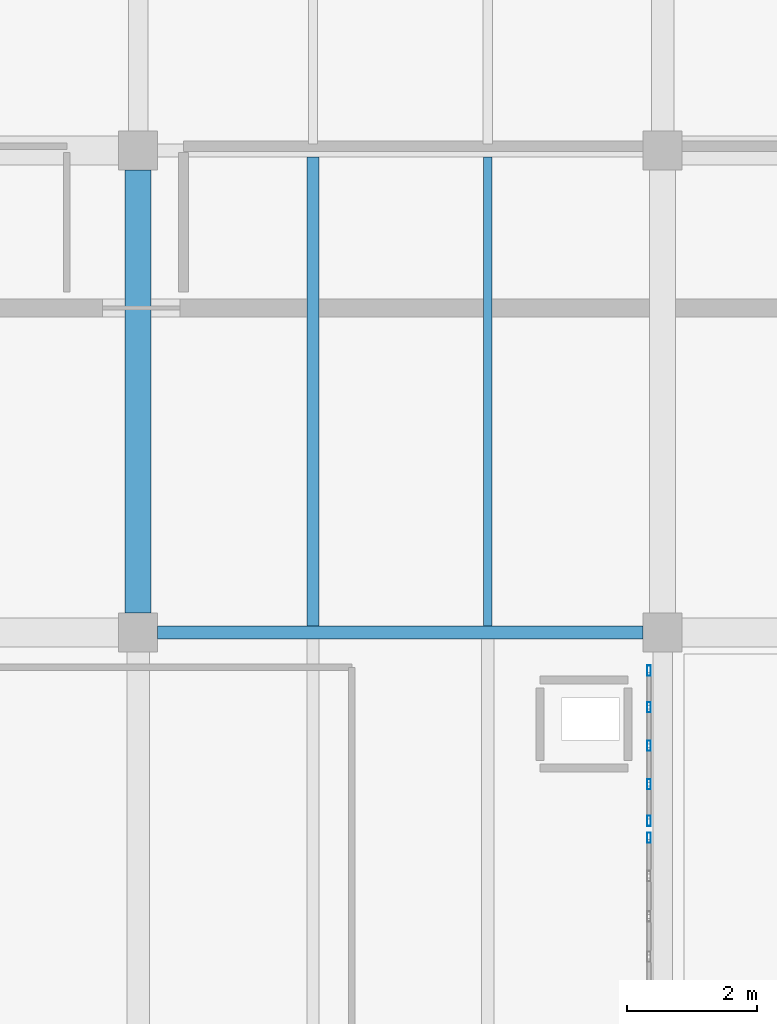
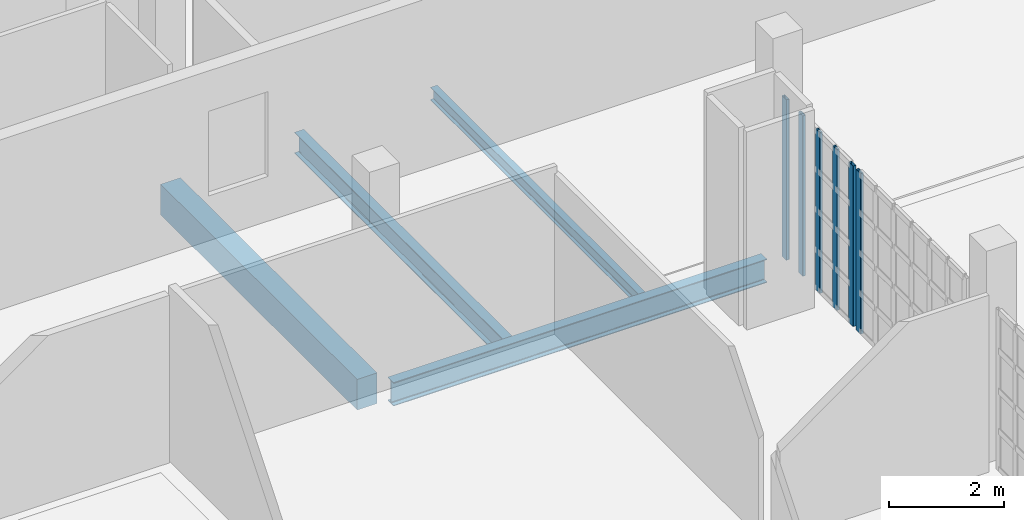
# One storey, part 30 of 73: 6 members, 4 beams, 2 elements without a shape of their own.
"""IFC4 building model written with IfcOpenShell, lengths in metres."""

from ifc_helpers import new_model, si_unit, direction, frame, origin, origin_2d, place, context, subcontext, project, spatial, rectangle, hollow_rectangle, i_section, extrude, material, material_profile, profile_set, type_object, element, aggregate, save


model = new_model("IFC4")

# Units and contexts
model_context = context("Model", 3, precision=1e-05, world=origin(), true_north=direction((0.0, 1.0)))
body_context = subcontext(model_context, "Body", "Model", "MODEL_VIEW")
ifc_project = project(units=[si_unit("LENGTHUNIT", "METRE"), si_unit("AREAUNIT", "SQUARE_METRE"), si_unit("VOLUMEUNIT", "CUBIC_METRE"), si_unit("PLANEANGLEUNIT", "RADIAN"), si_unit("MASSUNIT", "GRAM", prefix="KILO")], contexts=[model_context])

# Site, building, storey
site_placement = place(None, origin())
site = spatial("IfcSite", under=ifc_project, at=site_placement, CompositionType="ELEMENT")
building_placement = place(site_placement, origin())
building = spatial("IfcBuilding", under=site, at=building_placement, Name="Kaelora Sail Theatre", CompositionType="ELEMENT")
storey_placement = place(building_placement, frame((0.0, 0.0, 10.199951171875)))
storey = spatial("IfcBuildingStorey", under=building, at=storey_placement, Name="L02", CompositionType="ELEMENT", Elevation=10.199951171875)

# Curtain wall, member
ifc_material_1 = material(Name="Anodised aluminium and solar-control low-E IGU", Category="aluminium")
curtain_wall_type = type_object("IfcCurtainWallType", Name="ARC-CW-CW-BRG", PredefinedType="NOTDEFINED", material=ifc_material_1)
curtain_wall_1_placement = place(storey_placement, origin())
curtain_wall_1 = element("IfcCurtainWall", 1, at=curtain_wall_1_placement, inside=storey, type_object=curtain_wall_type, Name="Glazed Colonnade/Courtyard Curtain Wall FC2-STEP-E-L02-03", PredefinedType="NOTDEFINED")
ifc_material_2 = material(Name="Anodised aluminium 6063-T6", Category="aluminium")
ifc_material_profile_1 = material_profile(ifc_material_2, hollow_rectangle(XDim=0.06005859375, YDim=0.159912109375, WallThickness=0.00390625, InnerFilletRadius=0.00390625, OuterFilletRadius=0.008056640625, at=origin_2d()), Name="ALU-MULL 60x160x4")
ifc_profile_set_1 = profile_set([ifc_material_profile_1], Name="Anodised aluminium 6063-T6")
member_type = type_object("IfcMemberType", Name="ARC-MEM-ML-160", PredefinedType="MULLION", material=ifc_profile_set_1)
member_1_placement = place(storey_placement, frame((122.7900390625, 80.169921875, 0.0), z_axis=(0.0, 0.0, 1.0), x_axis=(-1.0, 0.0, 0.0)))
member_1 = element("IfcMember", 2, at=member_1_placement, type_object=member_type, Name="CW-BRG mullion 7", PredefinedType="MULLION", context=body_context, shape_type="SweptSolid", body=[
    extrude(hollow_rectangle(XDim=0.06005859375, YDim=0.159912109375, WallThickness=0.00390625, InnerFilletRadius=0.00390625, OuterFilletRadius=0.008056640625, at=origin_2d()), origin(), (0.0, 0.0, 1.0), 3.406982421875),
])
aggregate(curtain_wall_1, [member_1])

# Curtain wall, members
curtain_wall_2_placement = place(storey_placement, origin())
curtain_wall_2 = element("IfcCurtainWall", 3, at=curtain_wall_2_placement, inside=storey, type_object=curtain_wall_type, Name="Glazed Colonnade/Courtyard Curtain Wall FC2-STEP-E-L02-04", PredefinedType="NOTDEFINED")
member_2_placement = place(storey_placement, frame((122.7900390625, 80.429931640625, 0.0), z_axis=(0.0, 0.0, 1.0), x_axis=(-1.0, 0.0, 0.0)))
member_2 = element("IfcMember", 4, at=member_2_placement, type_object=member_type, Name="CW-BRG mullion 1", PredefinedType="MULLION", context=body_context, shape_type="SweptSolid", body=[
    extrude(hollow_rectangle(XDim=0.06005859375, YDim=0.159912109375, WallThickness=0.00390625, InnerFilletRadius=0.00390625, OuterFilletRadius=0.008056640625, at=origin_2d()), origin(), (0.0, 0.0, 1.0), 3.406982421875),
])
member_3_placement = place(storey_placement, frame((122.7900390625, 80.9951171875, 0.0), z_axis=(0.0, 0.0, 1.0), x_axis=(-1.0, 0.0, 0.0)))
member_3 = element("IfcMember", 5, at=member_3_placement, type_object=member_type, Name="CW-BRG mullion 2", PredefinedType="MULLION", context=body_context, shape_type="SweptSolid", body=[
    extrude(hollow_rectangle(XDim=0.06005859375, YDim=0.159912109375, WallThickness=0.00390625, InnerFilletRadius=0.00390625, OuterFilletRadius=0.008056640625, at=origin_2d()), origin(), (0.0, 0.0, 1.0), 3.406982421875),
])
member_4_placement = place(storey_placement, frame((122.7900390625, 81.590087890625, 0.0), z_axis=(0.0, 0.0, 1.0), x_axis=(-1.0, 0.0, 0.0)))
member_4 = element("IfcMember", 6, at=member_4_placement, type_object=member_type, Name="CW-BRG mullion 3", PredefinedType="MULLION", context=body_context, shape_type="SweptSolid", body=[
    extrude(hollow_rectangle(XDim=0.06005859375, YDim=0.159912109375, WallThickness=0.00390625, InnerFilletRadius=0.00390625, OuterFilletRadius=0.008056640625, at=origin_2d()), origin(), (0.0, 0.0, 1.0), 3.406982421875),
])
member_5_placement = place(storey_placement, frame((122.7900390625, 82.18505859375, 0.0), z_axis=(0.0, 0.0, 1.0), x_axis=(-1.0, 0.0, 0.0)))
member_5 = element("IfcMember", 7, at=member_5_placement, type_object=member_type, Name="CW-BRG mullion 4", PredefinedType="MULLION", context=body_context, shape_type="SweptSolid", body=[
    extrude(hollow_rectangle(XDim=0.06005859375, YDim=0.159912109375, WallThickness=0.00390625, InnerFilletRadius=0.00390625, OuterFilletRadius=0.008056640625, at=origin_2d()), origin(), (0.0, 0.0, 1.0), 3.406982421875),
])
member_6_placement = place(storey_placement, frame((122.7900390625, 82.75, 0.0), z_axis=(0.0, 0.0, 1.0), x_axis=(-1.0, 0.0, 0.0)))
member_6 = element("IfcMember", 8, at=member_6_placement, type_object=member_type, Name="CW-BRG mullion 5", PredefinedType="MULLION", context=body_context, shape_type="SweptSolid", body=[
    extrude(hollow_rectangle(XDim=0.06005859375, YDim=0.159912109375, WallThickness=0.00390625, InnerFilletRadius=0.00390625, OuterFilletRadius=0.008056640625, at=origin_2d()), origin(), (0.0, 0.0, 1.0), 3.406982421875),
])
aggregate(curtain_wall_2, [member_2, member_3, member_4, member_5, member_6])

# Beams
ifc_material_3 = material(Name="Steel S355", Category="steel")
ifc_material_profile_2 = material_profile(ifc_material_3, i_section(OverallWidth=0.18994140625, OverallDepth=0.449951171875, WebThickness=0.009521484375, FlangeThickness=0.0146484375, FilletRadius=0.02099609375, at=origin_2d()), Name="IPE 450")
ifc_profile_set_2 = profile_set([ifc_material_profile_2], Name="Steel S355")
beam_type_1 = type_object("IfcBeamType", Name="STR-BM-BM-IPE450", PredefinedType="BEAM", material=ifc_profile_set_2)
beam_1_placement = place(storey_placement, frame((117.60009765625, 83.43994140625, -0.52001953125), z_axis=(0.0, 1.0, 0.0), x_axis=(-1.0, 0.0, 0.0)))
element("IfcBeam", 9, at=beam_1_placement, inside=storey, type_object=beam_type_1, Name="Secondary floor joist 15/L-1 (L02)", PredefinedType="BEAM", context=body_context, shape_type="SweptSolid", body=[
    extrude(i_section(OverallWidth=0.18994140625, OverallDepth=0.449951171875, WebThickness=0.009521484375, FlangeThickness=0.0146484375, FilletRadius=0.02099609375, at=origin_2d()), origin(), (0.0, 0.0, 1.0), 7.239990234375),
])
ifc_material_4 = material(Name="Steel S355", Category="steel")
ifc_material_profile_3 = material_profile(ifc_material_4, i_section(OverallWidth=0.199951171875, OverallDepth=0.5, WebThickness=0.01025390625, FlangeThickness=0.01611328125, FilletRadius=0.02099609375, at=origin_2d()), Name="IPE 500")
ifc_profile_set_3 = profile_set([ifc_material_profile_3], Name="Steel S355")
beam_type_2 = type_object("IfcBeamType", Name="STR-BM-BM-IPE500", PredefinedType="BEAM", material=ifc_profile_set_3)
beam_2_placement = place(storey_placement, frame((115.199951171875, 83.340087890625, -0.544921875), z_axis=(1.0, 0.0, 0.0), x_axis=(0.0, 1.0, 0.0)))
element("IfcBeam", 10, at=beam_2_placement, inside=storey, type_object=beam_type_2, Name="Primary beam L 15-16 (L02)", PredefinedType="BEAM", context=body_context, shape_type="SweptSolid", body=[
    extrude(i_section(OverallWidth=0.199951171875, OverallDepth=0.5, WebThickness=0.01025390625, FlangeThickness=0.01611328125, FilletRadius=0.02099609375, at=origin_2d()), origin(), (0.0, 0.0, 1.0), 7.5),
])
ifc_material_5 = material(Name="Concrete C40/50", Category="concrete")
ifc_material_profile_4 = material_profile(ifc_material_5, rectangle(XDim=0.39990234375, YDim=0.64990234375, at=origin_2d()), Name="RC-BM 400x650")
ifc_profile_set_4 = profile_set([ifc_material_profile_4], Name="Concrete C40/50")
beam_type_3 = type_object("IfcBeamType", Name="STR-BM-BM-RC4065", PredefinedType="BEAM", material=ifc_profile_set_4)
beam_3_placement = place(storey_placement, frame((114.89990234375, 83.639892578125, -0.619873046875), z_axis=(0.0, 1.0, 0.0), x_axis=(-1.0, 0.0, 0.0)))
element("IfcBeam", 11, at=beam_3_placement, inside=storey, type_object=beam_type_3, Name="Primary beam 15 L-M (L02)", PredefinedType="BEAM", context=body_context, shape_type="SweptSolid", body=[
    extrude(rectangle(XDim=0.39990234375, YDim=0.64990234375, at=origin_2d()), origin(), (0.0, 0.0, 1.0), 6.840087890625),
])
ifc_material_6 = material(Name="Steel S355", Category="steel")
ifc_material_profile_5 = material_profile(ifc_material_6, i_section(OverallWidth=0.135009765625, OverallDepth=0.27001953125, WebThickness=0.006591796875, FlangeThickness=0.01025390625, FilletRadius=0.014892578125, at=origin_2d()), Name="IPE 270")
ifc_profile_set_5 = profile_set([ifc_material_profile_5], Name="Steel S355")
beam_type_4 = type_object("IfcBeamType", Name="STR-BM-JS-IPE270", PredefinedType="JOIST", material=ifc_profile_set_5)
beam_4_placement = place(storey_placement, frame((120.300048828125, 83.43994140625, -0.429931640625), z_axis=(0.0, 1.0, 0.0), x_axis=(-1.0, 0.0, 0.0)))
element("IfcBeam", 12, at=beam_4_placement, inside=storey, type_object=beam_type_4, Name="Secondary floor joist 15/L-2 (L02)", PredefinedType="JOIST", context=body_context, shape_type="SweptSolid", body=[
    extrude(i_section(OverallWidth=0.135009765625, OverallDepth=0.27001953125, WebThickness=0.006591796875, FlangeThickness=0.01025390625, FilletRadius=0.014892578125, at=origin_2d()), origin(), (0.0, 0.0, 1.0), 7.239990234375),
])

save(model, "model.ifc")
